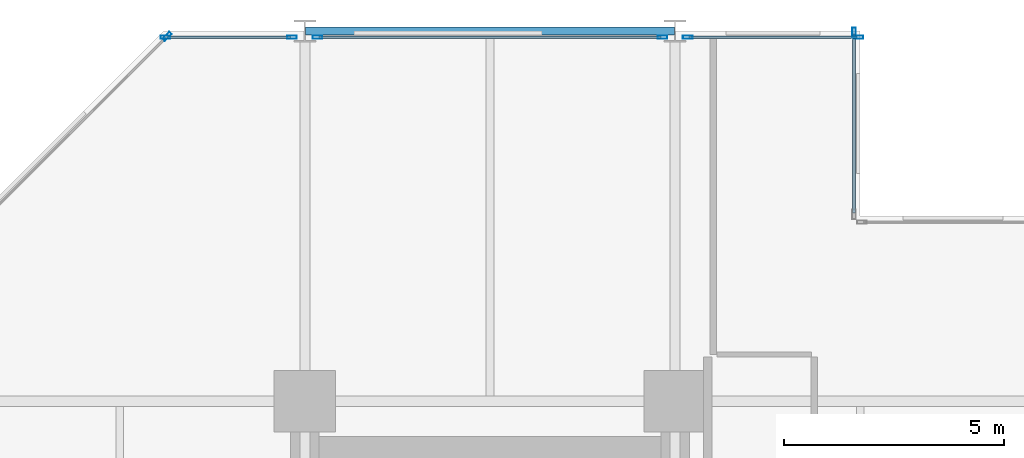
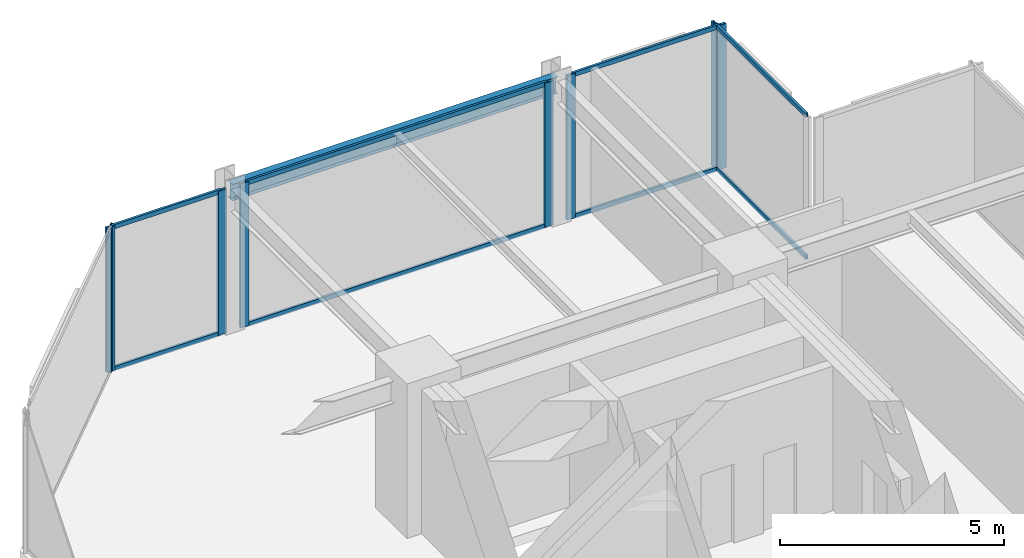
# One storey, part 17 of 24: 16 members, 1 beam, 5 elements without a shape of their own.
"""IFC4 building model written with IfcOpenShell, lengths in metres."""

from ifc_helpers import new_model, si_unit, direction, frame, origin, origin_2d, place, context, subcontext, project, spatial, hollow_rectangle, i_section, extrude, material, layer, layer_set, material_profile, profile_set, type_object, element, aggregate, save


model = new_model("IFC4")

# Units and contexts
model_context = context("Model", 3, precision=1e-05, world=origin(), true_north=direction((0.0, 1.0)))
body_context = subcontext(model_context, "Body", "Model", "MODEL_VIEW")
ifc_project = project(units=[si_unit("LENGTHUNIT", "METRE"), si_unit("AREAUNIT", "SQUARE_METRE"), si_unit("VOLUMEUNIT", "CUBIC_METRE"), si_unit("PLANEANGLEUNIT", "RADIAN"), si_unit("MASSUNIT", "GRAM", prefix="KILO")], contexts=[model_context])

# Site, building, storey
site_placement = place(None, origin())
site = spatial("IfcSite", under=ifc_project, at=site_placement, CompositionType="ELEMENT")
building_placement = place(site_placement, origin())
building = spatial("IfcBuilding", under=site, at=building_placement, Name="Nerrivon Quay Data Exchange", CompositionType="ELEMENT")
storey_placement = place(building_placement, frame((0.0, 0.0, 37.39990234375)))
storey = spatial("IfcBuildingStorey", under=building, at=storey_placement, Name="L08", CompositionType="ELEMENT", Elevation=37.39990234375)

# Beam
ifc_material_1 = material(Name="Steel Grade 350", Category="steel")
ifc_material_profile_1 = material_profile(ifc_material_1, i_section(OverallWidth=0.18994140625, OverallDepth=0.4541015625, WebThickness=0.008544921875, FlangeThickness=0.0126953125, FilletRadius=0.011474609375, at=origin_2d()), Name="460UB67.1")
ifc_profile_set_1 = profile_set([ifc_material_profile_1], Name="Steel Grade 350")
beam_type = type_object("IfcBeamType", Name="BM-SP1-460UB67", PredefinedType="SPANDREL", material=ifc_profile_set_1)
beam_placement = place(storey_placement, frame((8.4140625, 50.39990234375, 3.697998046875), z_axis=(1.0, 0.0, 0.0), x_axis=(0.0, 1.0, 0.0)))
element("IfcBeam", 1, at=beam_placement, inside=storey, type_object=beam_type, Name="L08 EW Girder Y=50.4 (8.4..16.8)", PredefinedType="SPANDREL", context=body_context, shape_type="SweptSolid", body=[
    extrude(i_section(OverallWidth=0.18994140625, OverallDepth=0.4541015625, WebThickness=0.008544921875, FlangeThickness=0.0126953125, FilletRadius=0.011474609375, at=origin_2d()), origin(), (0.0, 0.0, 1.0), 8.371826171875),
])

# Curtain wall, member
ifc_material_2 = material(Name="Anodised aluminium 6063-T6", Category="aluminium")
ifc_layer = layer(ifc_material_2, 0.219970703125)
ifc_layer_set = layer_set([ifc_layer], Name="Anodised aluminium 6063-T6")
curtain_wall_type = type_object("IfcCurtainWallType", Name="CW-SYS-01", PredefinedType="NOTDEFINED", material=ifc_layer_set)
curtain_wall_1_placement = place(storey_placement, origin())
curtain_wall_1 = element("IfcCurtainWall", 2, at=curtain_wall_1_placement, inside=storey, type_object=curtain_wall_type, Name="L08 Unitised Curtain Wall 19", PredefinedType="NOTDEFINED")
ifc_material_profile_2 = material_profile(ifc_material_2, hollow_rectangle(XDim=0.074951171875, YDim=0.219970703125, WallThickness=0.00390625, at=origin_2d()), Name="ALU-MULL-220x75")
ifc_profile_set_2 = profile_set([ifc_material_profile_2], Name="Anodised aluminium 6063-T6")
member_type_1 = type_object("IfcMemberType", Name="CWM-220x75", PredefinedType="MULLION", material=ifc_profile_set_2)
member_1_placement = place(storey_placement, frame((5.2724609375, 50.2744140625, 0.0), z_axis=(0.0, 0.0, 1.0), x_axis=(-0.707106781187, 0.707106781187, 0.0)))
member_1 = element("IfcMember", 3, at=member_1_placement, type_object=member_type_1, Name="CW01 mullion 2", PredefinedType="MULLION", context=body_context, shape_type="SweptSolid", body=[
    extrude(hollow_rectangle(XDim=0.074951171875, YDim=0.219970703125, WallThickness=0.00390625, at=origin_2d()), origin(), (0.0, 0.0, 1.0), 3.925048828125),
])
aggregate(curtain_wall_1, [member_1])

# Curtain wall, members
curtain_wall_2_placement = place(storey_placement, origin())
curtain_wall_2 = element("IfcCurtainWall", 4, at=curtain_wall_2_placement, inside=storey, type_object=curtain_wall_type, Name="L08 Unitised Curtain Wall 20", PredefinedType="NOTDEFINED")
member_2_placement = place(storey_placement, frame((5.237548828125, 50.260009765625, 0.0), z_axis=(0.0, 0.0, 1.0), x_axis=(0.0, 1.0, 0.0)))
member_2 = element("IfcMember", 5, at=member_2_placement, type_object=member_type_1, Name="CW01 mullion 1", PredefinedType="MULLION", context=body_context, shape_type="SweptSolid", body=[
    extrude(hollow_rectangle(XDim=0.074951171875, YDim=0.219970703125, WallThickness=0.00390625, at=origin_2d()), origin(), (0.0, 0.0, 1.0), 3.925048828125),
])
member_3_placement = place(storey_placement, frame((8.112548828125, 50.260009765625, 0.0), z_axis=(0.0, 0.0, 1.0), x_axis=(0.0, 1.0, 0.0)))
member_3 = element("IfcMember", 6, at=member_3_placement, type_object=member_type_1, Name="CW01 mullion 2", PredefinedType="MULLION", context=body_context, shape_type="SweptSolid", body=[
    extrude(hollow_rectangle(XDim=0.074951171875, YDim=0.219970703125, WallThickness=0.00390625, at=origin_2d()), origin(), (0.0, 0.0, 1.0), 3.925048828125),
])

curtain_wall_3_placement = place(storey_placement, origin())
curtain_wall_3 = element("IfcCurtainWall", 7, at=curtain_wall_3_placement, inside=storey, type_object=curtain_wall_type, Name="L08 Unitised Curtain Wall 21", PredefinedType="NOTDEFINED")
member_4_placement = place(storey_placement, frame((8.6875, 50.260009765625, 0.0), z_axis=(0.0, 0.0, 1.0), x_axis=(0.0, 1.0, 0.0)))
member_4 = element("IfcMember", 8, at=member_4_placement, type_object=member_type_1, Name="CW01 mullion 1", PredefinedType="MULLION", context=body_context, shape_type="SweptSolid", body=[
    extrude(hollow_rectangle(XDim=0.074951171875, YDim=0.219970703125, WallThickness=0.00390625, at=origin_2d()), origin(), (0.0, 0.0, 1.0), 3.925048828125),
])
member_5_placement = place(storey_placement, frame((16.512451171875, 50.260009765625, 0.0), z_axis=(0.0, 0.0, 1.0), x_axis=(0.0, 1.0, 0.0)))
member_5 = element("IfcMember", 9, at=member_5_placement, type_object=member_type_1, Name="CW01 mullion 2", PredefinedType="MULLION", context=body_context, shape_type="SweptSolid", body=[
    extrude(hollow_rectangle(XDim=0.074951171875, YDim=0.219970703125, WallThickness=0.00390625, at=origin_2d()), origin(), (0.0, 0.0, 1.0), 3.925048828125),
])

curtain_wall_4_placement = place(storey_placement, origin())
curtain_wall_4 = element("IfcCurtainWall", 10, at=curtain_wall_4_placement, inside=storey, type_object=curtain_wall_type, Name="L08 Unitised Curtain Wall 22", PredefinedType="NOTDEFINED")
member_6_placement = place(storey_placement, frame((17.08740234375, 50.260009765625, 0.0), z_axis=(0.0, 0.0, 1.0), x_axis=(0.0, 1.0, 0.0)))
member_6 = element("IfcMember", 11, at=member_6_placement, type_object=member_type_1, Name="CW01 mullion 1", PredefinedType="MULLION", context=body_context, shape_type="SweptSolid", body=[
    extrude(hollow_rectangle(XDim=0.074951171875, YDim=0.219970703125, WallThickness=0.00390625, at=origin_2d()), origin(), (0.0, 0.0, 1.0), 3.925048828125),
])
member_7_placement = place(storey_placement, frame((20.96240234375, 50.260009765625, 0.0), z_axis=(0.0, 0.0, 1.0), x_axis=(0.0, 1.0, 0.0)))
member_7 = element("IfcMember", 12, at=member_7_placement, type_object=member_type_1, Name="CW01 mullion 2", PredefinedType="MULLION", context=body_context, shape_type="SweptSolid", body=[
    extrude(hollow_rectangle(XDim=0.074951171875, YDim=0.219970703125, WallThickness=0.00390625, at=origin_2d()), origin(), (0.0, 0.0, 1.0), 3.925048828125),
])

# Curtain wall, member
curtain_wall_5_placement = place(storey_placement, origin())
curtain_wall_5 = element("IfcCurtainWall", 13, at=curtain_wall_5_placement, inside=storey, type_object=curtain_wall_type, Name="L08 Unitised Curtain Wall 23", PredefinedType="NOTDEFINED")
member_8_placement = place(storey_placement, frame((20.860107421875, 50.362548828125, 0.0), z_axis=(0.0, 0.0, 1.0), x_axis=(1.0, 0.0, 0.0)))
member_8 = element("IfcMember", 14, at=member_8_placement, type_object=member_type_1, Name="CW01 mullion 1", PredefinedType="MULLION", context=body_context, shape_type="SweptSolid", body=[
    extrude(hollow_rectangle(XDim=0.074951171875, YDim=0.219970703125, WallThickness=0.00390625, at=origin_2d()), origin(), (0.0, 0.0, 1.0), 3.925048828125),
])

# Member
ifc_material_profile_3 = material_profile(ifc_material_2, hollow_rectangle(XDim=0.06005859375, YDim=0.1201171875, WallThickness=0.003173828125, at=origin_2d()), Name="ALU-TRAN-120x60")
ifc_profile_set_3 = profile_set([ifc_material_profile_3], Name="Anodised aluminium 6063-T6")
member_type_2 = type_object("IfcMemberType", Name="CWT-120x60", PredefinedType="USERDEFINED", material=ifc_profile_set_3)
member_9_placement = place(storey_placement, frame((5.27490234375, 50.260009765625, 0.03271484375), z_axis=(1.0, 0.0, 0.0), x_axis=(0.0, 1.0, 0.0)))
member_9 = element("IfcMember", 15, at=member_9_placement, type_object=member_type_2, Name="CW01 transom 1.1", ObjectType="TRANSOM", PredefinedType="USERDEFINED", context=body_context, shape_type="SweptSolid", body=[
    extrude(hollow_rectangle(XDim=0.06005859375, YDim=0.1201171875, WallThickness=0.003173828125, at=origin_2d()), origin(), (0.0, 0.0, 1.0), 2.800048828125),
])

member_10_placement = place(storey_placement, frame((5.27490234375, 50.260009765625, 3.892578125), z_axis=(1.0, 0.0, 0.0), x_axis=(0.0, 1.0, 0.0)))
member_10 = element("IfcMember", 16, at=member_10_placement, type_object=member_type_2, Name="CW01 transom 1.2", ObjectType="TRANSOM", PredefinedType="USERDEFINED", context=body_context, shape_type="SweptSolid", body=[
    extrude(hollow_rectangle(XDim=0.06005859375, YDim=0.1201171875, WallThickness=0.003173828125, at=origin_2d()), origin(), (0.0, 0.0, 1.0), 2.800048828125),
])

aggregate(curtain_wall_2, [member_2, member_3, member_9, member_10])

member_11_placement = place(storey_placement, frame((8.72509765625, 50.260009765625, 0.03271484375), z_axis=(1.0, 0.0, 0.0), x_axis=(0.0, 1.0, 0.0)))
member_11 = element("IfcMember", 17, at=member_11_placement, type_object=member_type_2, Name="CW01 transom 1.1", ObjectType="TRANSOM", PredefinedType="USERDEFINED", context=body_context, shape_type="SweptSolid", body=[
    extrude(hollow_rectangle(XDim=0.06005859375, YDim=0.1201171875, WallThickness=0.003173828125, at=origin_2d()), origin(), (0.0, 0.0, 1.0), 7.75),
])

member_12_placement = place(storey_placement, frame((8.72509765625, 50.260009765625, 3.892578125), z_axis=(1.0, 0.0, 0.0), x_axis=(0.0, 1.0, 0.0)))
member_12 = element("IfcMember", 18, at=member_12_placement, type_object=member_type_2, Name="CW01 transom 1.2", ObjectType="TRANSOM", PredefinedType="USERDEFINED", context=body_context, shape_type="SweptSolid", body=[
    extrude(hollow_rectangle(XDim=0.06005859375, YDim=0.1201171875, WallThickness=0.003173828125, at=origin_2d()), origin(), (0.0, 0.0, 1.0), 7.75),
])

aggregate(curtain_wall_3, [member_4, member_5, member_11, member_12])

member_13_placement = place(storey_placement, frame((17.125, 50.260009765625, 0.03271484375), z_axis=(1.0, 0.0, 0.0), x_axis=(0.0, 1.0, 0.0)))
member_13 = element("IfcMember", 19, at=member_13_placement, type_object=member_type_2, Name="CW01 transom 1.1", ObjectType="TRANSOM", PredefinedType="USERDEFINED", context=body_context, shape_type="SweptSolid", body=[
    extrude(hollow_rectangle(XDim=0.06005859375, YDim=0.1201171875, WallThickness=0.003173828125, at=origin_2d()), origin(), (0.0, 0.0, 1.0), 3.800048828125),
])

member_14_placement = place(storey_placement, frame((17.125, 50.260009765625, 3.892578125), z_axis=(1.0, 0.0, 0.0), x_axis=(0.0, 1.0, 0.0)))
member_14 = element("IfcMember", 20, at=member_14_placement, type_object=member_type_2, Name="CW01 transom 1.2", ObjectType="TRANSOM", PredefinedType="USERDEFINED", context=body_context, shape_type="SweptSolid", body=[
    extrude(hollow_rectangle(XDim=0.06005859375, YDim=0.1201171875, WallThickness=0.003173828125, at=origin_2d()), origin(), (0.0, 0.0, 1.0), 3.800048828125),
])

aggregate(curtain_wall_4, [member_6, member_7, member_13, member_14])

member_15_placement = place(storey_placement, frame((20.860107421875, 50.324951171875, 0.03271484375), z_axis=(0.0, -1.0, 0.0), x_axis=(1.0, 0.0, 0.0)))
member_15 = element("IfcMember", 21, at=member_15_placement, type_object=member_type_2, Name="CW01 transom 1.1", ObjectType="TRANSOM", PredefinedType="USERDEFINED", context=body_context, shape_type="SweptSolid", body=[
    extrude(hollow_rectangle(XDim=0.06005859375, YDim=0.1201171875, WallThickness=0.003173828125, at=origin_2d()), origin(), (0.0, 0.0, 1.0), 4.050048828125),
])

member_16_placement = place(storey_placement, frame((20.860107421875, 50.324951171875, 3.892578125), z_axis=(0.0, -1.0, 0.0), x_axis=(1.0, 0.0, 0.0)))
member_16 = element("IfcMember", 22, at=member_16_placement, type_object=member_type_2, Name="CW01 transom 1.2", ObjectType="TRANSOM", PredefinedType="USERDEFINED", context=body_context, shape_type="SweptSolid", body=[
    extrude(hollow_rectangle(XDim=0.06005859375, YDim=0.1201171875, WallThickness=0.003173828125, at=origin_2d()), origin(), (0.0, 0.0, 1.0), 4.050048828125),
])

aggregate(curtain_wall_5, [member_8, member_15, member_16])

save(model, "model.ifc")
